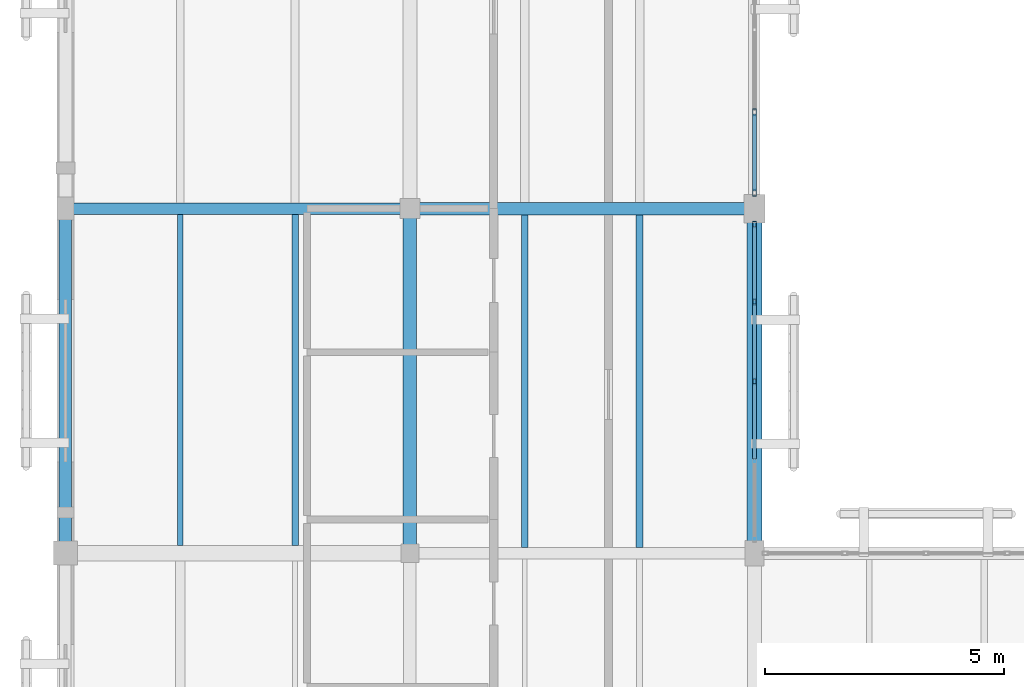
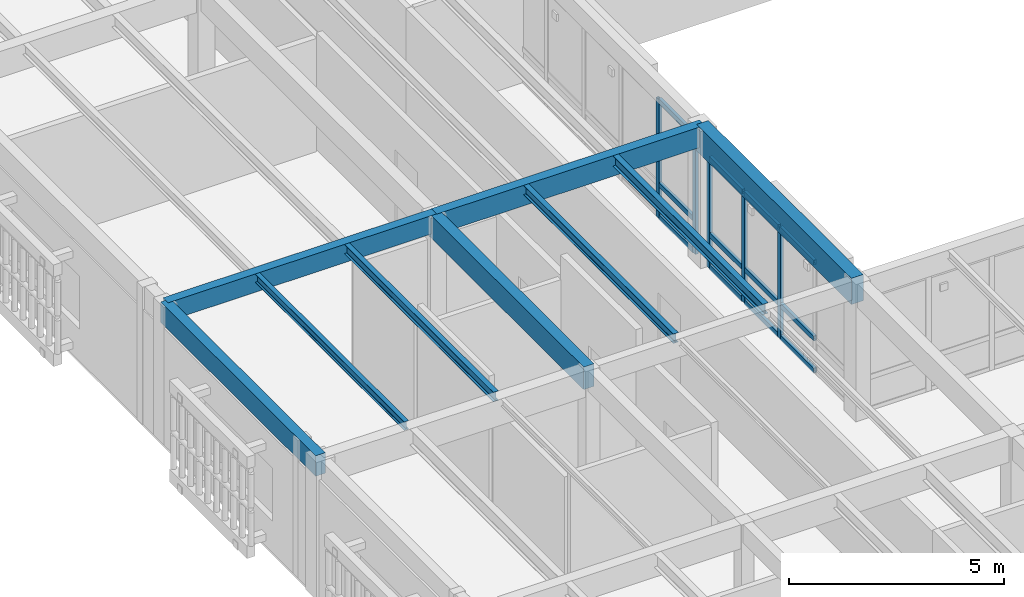
# One storey, part 25 of 217: 17 members, 9 beams, 2 elements without a shape of their own.
"""IFC4 building model written with IfcOpenShell, lengths in metres."""

from ifc_helpers import new_model, si_unit, direction, frame, origin, origin_2d, place, context, subcontext, project, spatial, rectangle, hollow_rectangle, i_section, extrude, material, layer, layer_set, material_profile, profile_set, type_object, element, aggregate, save


model = new_model("IFC4")

# Units and contexts
model_context = context("Model", 3, precision=1e-05, world=origin(), true_north=direction((0.0, 1.0)))
body_context = subcontext(model_context, "Body", "Model", "MODEL_VIEW")
ifc_project = project(units=[si_unit("LENGTHUNIT", "METRE"), si_unit("AREAUNIT", "SQUARE_METRE"), si_unit("VOLUMEUNIT", "CUBIC_METRE"), si_unit("PLANEANGLEUNIT", "RADIAN"), si_unit("MASSUNIT", "GRAM", prefix="KILO")], contexts=[model_context])

# Site, building, storey
site_placement = place(None, origin())
site = spatial("IfcSite", under=ifc_project, at=site_placement, CompositionType="ELEMENT")
building_placement = place(site_placement, origin())
building = spatial("IfcBuilding", under=site, at=building_placement, Name="Mazaris Harbour Polytechnic", CompositionType="ELEMENT")
storey_placement = place(building_placement, frame((0.0, 0.0, 9.60009765625)))
storey = spatial("IfcBuildingStorey", under=building, at=storey_placement, Name="L02", CompositionType="ELEMENT", Elevation=9.60009765625)

# Curtain wall, members
ifc_material_1 = material(Name="Anodised Bronze Aluminium and Low-E Glass", Category="aluminium")
ifc_layer = layer(ifc_material_1, 0.159912109375, Name="Anodised Bronze Aluminium and Low-E Glass")
ifc_layer_set = layer_set([ifc_layer], Name="Anodised Bronze Aluminium and Low-E Glass")
curtain_wall_type = type_object("IfcCurtainWallType", Name="Cloister Court Curtain Wall", PredefinedType="NOTDEFINED", material=ifc_layer_set)
curtain_wall_1_placement = place(storey_placement, origin())
curtain_wall_1 = element("IfcCurtainWall", 1, at=curtain_wall_1_placement, inside=storey, type_object=curtain_wall_type, Name="V4 L02 Curtain Wall 137", PredefinedType="NOTDEFINED")
ifc_material_2 = material(Name="Anodised Bronze Steel S355", Category="steel")
ifc_material_profile_1 = material_profile(ifc_material_2, hollow_rectangle(XDim=0.080078125, YDim=0.139892578125, WallThickness=0.00634765625, at=origin_2d()), Name="RHS 80x140x6.3")
ifc_profile_set_1 = profile_set([ifc_material_profile_1], Name="Anodised Bronze Steel S355")
member_type_1 = type_object("IfcMemberType", Name="Curtain Mullion RHS80x140", PredefinedType="MULLION", material=ifc_profile_set_1)
member_1_placement = place(storey_placement, frame((14.39990234375, 39.5849609375, 0.0), z_axis=(0.0, 0.0, 1.0), x_axis=(-1.0, 0.0, 0.0)))
member_1 = element("IfcMember", 2, at=member_1_placement, type_object=member_type_1, Name="CW-02 mullion 3", PredefinedType="MULLION", context=body_context, shape_type="SweptSolid", body=[
    extrude(hollow_rectangle(XDim=0.080078125, YDim=0.139892578125, WallThickness=0.00634765625, at=origin_2d()), origin(), (0.0, 0.0, 1.0), 3.139892578125),
])
member_2_placement = place(storey_placement, frame((14.39990234375, 41.24658203125, 0.0), z_axis=(0.0, 0.0, 1.0), x_axis=(-1.0, 0.0, 0.0)))
member_2 = element("IfcMember", 3, at=member_2_placement, type_object=member_type_1, Name="CW-02 mullion 4", PredefinedType="MULLION", context=body_context, shape_type="SweptSolid", body=[
    extrude(hollow_rectangle(XDim=0.080078125, YDim=0.139892578125, WallThickness=0.00634765625, at=origin_2d()), origin(), (0.0, 0.0, 1.0), 3.139892578125),
])
member_3_placement = place(storey_placement, frame((14.39990234375, 42.867919921875, 0.0), z_axis=(0.0, 0.0, 1.0), x_axis=(-1.0, 0.0, 0.0)))
member_3 = element("IfcMember", 4, at=member_3_placement, type_object=member_type_1, Name="CW-02 mullion 5", PredefinedType="MULLION", context=body_context, shape_type="SweptSolid", body=[
    extrude(hollow_rectangle(XDim=0.080078125, YDim=0.139892578125, WallThickness=0.00634765625, at=origin_2d()), origin(), (0.0, 0.0, 1.0), 3.139892578125),
])

curtain_wall_2_placement = place(storey_placement, origin())
curtain_wall_2 = element("IfcCurtainWall", 5, at=curtain_wall_2_placement, inside=storey, type_object=curtain_wall_type, Name="V4 L02 Curtain Wall 138", PredefinedType="NOTDEFINED")
member_4_placement = place(storey_placement, frame((14.39990234375, 43.531982421875, 0.0), z_axis=(0.0, 0.0, 1.0), x_axis=(-1.0, 0.0, 0.0)))
member_4 = element("IfcMember", 6, at=member_4_placement, type_object=member_type_1, Name="CW-02 mullion 1", PredefinedType="MULLION", context=body_context, shape_type="SweptSolid", body=[
    extrude(hollow_rectangle(XDim=0.080078125, YDim=0.139892578125, WallThickness=0.00634765625, at=origin_2d()), origin(), (0.0, 0.0, 1.0), 3.35986328125),
])
member_5_placement = place(storey_placement, frame((14.39990234375, 45.21630859375, 0.0), z_axis=(0.0, 0.0, 1.0), x_axis=(-1.0, 0.0, 0.0)))
member_5 = element("IfcMember", 7, at=member_5_placement, type_object=member_type_1, Name="CW-02 mullion 2", PredefinedType="MULLION", context=body_context, shape_type="SweptSolid", body=[
    extrude(hollow_rectangle(XDim=0.080078125, YDim=0.139892578125, WallThickness=0.00634765625, at=origin_2d()), origin(), (0.0, 0.0, 1.0), 3.35986328125),
])

# Member
ifc_material_3 = material(Name="Anodised Bronze Steel S355", Category="steel")
ifc_material_profile_2 = material_profile(ifc_material_3, hollow_rectangle(XDim=0.080078125, YDim=0.139892578125, WallThickness=0.00634765625, at=origin_2d()), Name="RHS 80x140x6.3")
ifc_profile_set_2 = profile_set([ifc_material_profile_2], Name="Anodised Bronze Steel S355")
member_type_2 = type_object("IfcMemberType", Name="Curtain Transom RHS80x140", PredefinedType="USERDEFINED", material=ifc_profile_set_2)
member_6_placement = place(storey_placement, frame((14.39990234375, 37.96337890625, 0.039794921875), z_axis=(0.0, 1.0, 0.0), x_axis=(-1.0, 0.0, 0.0)))
member_6 = element("IfcMember", 8, at=member_6_placement, type_object=member_type_2, Name="CW-02 transom 2.1", ObjectType="TRANSOM", PredefinedType="USERDEFINED", context=body_context, shape_type="SweptSolid", body=[
    extrude(hollow_rectangle(XDim=0.080078125, YDim=0.139892578125, WallThickness=0.00634765625, at=origin_2d()), origin(), (0.0, 0.0, 1.0), 1.58154296875),
])

member_7_placement = place(storey_placement, frame((14.39990234375, 37.96337890625, 0.949951171875), z_axis=(0.0, 1.0, 0.0), x_axis=(-1.0, 0.0, 0.0)))
member_7 = element("IfcMember", 9, at=member_7_placement, type_object=member_type_2, Name="CW-02 transom 2.2", ObjectType="TRANSOM", PredefinedType="USERDEFINED", context=body_context, shape_type="SweptSolid", body=[
    extrude(hollow_rectangle(XDim=0.080078125, YDim=0.139892578125, WallThickness=0.00634765625, at=origin_2d()), origin(), (0.0, 0.0, 1.0), 1.58154296875),
])

member_8_placement = place(storey_placement, frame((14.39990234375, 37.96337890625, 3.099853515625), z_axis=(0.0, 1.0, 0.0), x_axis=(-1.0, 0.0, 0.0)))
member_8 = element("IfcMember", 10, at=member_8_placement, type_object=member_type_2, Name="CW-02 transom 2.3", ObjectType="TRANSOM", PredefinedType="USERDEFINED", context=body_context, shape_type="SweptSolid", body=[
    extrude(hollow_rectangle(XDim=0.080078125, YDim=0.139892578125, WallThickness=0.00634765625, at=origin_2d()), origin(), (0.0, 0.0, 1.0), 1.58154296875),
])

member_9_placement = place(storey_placement, frame((14.39990234375, 39.625, 0.039794921875), z_axis=(0.0, 1.0, 0.0), x_axis=(-1.0, 0.0, 0.0)))
member_9 = element("IfcMember", 11, at=member_9_placement, type_object=member_type_2, Name="CW-02 transom 3.1", ObjectType="TRANSOM", PredefinedType="USERDEFINED", context=body_context, shape_type="SweptSolid", body=[
    extrude(hollow_rectangle(XDim=0.080078125, YDim=0.139892578125, WallThickness=0.00634765625, at=origin_2d()), origin(), (0.0, 0.0, 1.0), 1.58154296875),
])

member_10_placement = place(storey_placement, frame((14.39990234375, 39.625, 0.949951171875), z_axis=(0.0, 1.0, 0.0), x_axis=(-1.0, 0.0, 0.0)))
member_10 = element("IfcMember", 12, at=member_10_placement, type_object=member_type_2, Name="CW-02 transom 3.2", ObjectType="TRANSOM", PredefinedType="USERDEFINED", context=body_context, shape_type="SweptSolid", body=[
    extrude(hollow_rectangle(XDim=0.080078125, YDim=0.139892578125, WallThickness=0.00634765625, at=origin_2d()), origin(), (0.0, 0.0, 1.0), 1.58154296875),
])

member_11_placement = place(storey_placement, frame((14.39990234375, 39.625, 3.099853515625), z_axis=(0.0, 1.0, 0.0), x_axis=(-1.0, 0.0, 0.0)))
member_11 = element("IfcMember", 13, at=member_11_placement, type_object=member_type_2, Name="CW-02 transom 3.3", ObjectType="TRANSOM", PredefinedType="USERDEFINED", context=body_context, shape_type="SweptSolid", body=[
    extrude(hollow_rectangle(XDim=0.080078125, YDim=0.139892578125, WallThickness=0.00634765625, at=origin_2d()), origin(), (0.0, 0.0, 1.0), 1.58154296875),
])

member_12_placement = place(storey_placement, frame((14.39990234375, 41.28662109375, 0.039794921875), z_axis=(0.0, 1.0, 0.0), x_axis=(-1.0, 0.0, 0.0)))
member_12 = element("IfcMember", 14, at=member_12_placement, type_object=member_type_2, Name="CW-02 transom 4.1", ObjectType="TRANSOM", PredefinedType="USERDEFINED", context=body_context, shape_type="SweptSolid", body=[
    extrude(hollow_rectangle(XDim=0.080078125, YDim=0.139892578125, WallThickness=0.00634765625, at=origin_2d()), origin(), (0.0, 0.0, 1.0), 1.541259765625),
])

member_13_placement = place(storey_placement, frame((14.39990234375, 41.28662109375, 0.949951171875), z_axis=(0.0, 1.0, 0.0), x_axis=(-1.0, 0.0, 0.0)))
member_13 = element("IfcMember", 15, at=member_13_placement, type_object=member_type_2, Name="CW-02 transom 4.2", ObjectType="TRANSOM", PredefinedType="USERDEFINED", context=body_context, shape_type="SweptSolid", body=[
    extrude(hollow_rectangle(XDim=0.080078125, YDim=0.139892578125, WallThickness=0.00634765625, at=origin_2d()), origin(), (0.0, 0.0, 1.0), 1.541259765625),
])

member_14_placement = place(storey_placement, frame((14.39990234375, 41.28662109375, 3.099853515625), z_axis=(0.0, 1.0, 0.0), x_axis=(-1.0, 0.0, 0.0)))
member_14 = element("IfcMember", 16, at=member_14_placement, type_object=member_type_2, Name="CW-02 transom 4.3", ObjectType="TRANSOM", PredefinedType="USERDEFINED", context=body_context, shape_type="SweptSolid", body=[
    extrude(hollow_rectangle(XDim=0.080078125, YDim=0.139892578125, WallThickness=0.00634765625, at=origin_2d()), origin(), (0.0, 0.0, 1.0), 1.541259765625),
])

aggregate(curtain_wall_1, [member_1, member_2, member_3, member_6, member_7, member_8, member_9, member_10, member_11, member_12, member_13, member_14])

member_15_placement = place(storey_placement, frame((14.39990234375, 43.572021484375, 0.039794921875), z_axis=(0.0, 1.0, 0.0), x_axis=(-1.0, 0.0, 0.0)))
member_15 = element("IfcMember", 17, at=member_15_placement, type_object=member_type_2, Name="CW-02 transom 1.1", ObjectType="TRANSOM", PredefinedType="USERDEFINED", context=body_context, shape_type="SweptSolid", body=[
    extrude(hollow_rectangle(XDim=0.080078125, YDim=0.139892578125, WallThickness=0.00634765625, at=origin_2d()), origin(), (0.0, 0.0, 1.0), 1.604248046875),
])

member_16_placement = place(storey_placement, frame((14.39990234375, 43.572021484375, 0.949951171875), z_axis=(0.0, 1.0, 0.0), x_axis=(-1.0, 0.0, 0.0)))
member_16 = element("IfcMember", 18, at=member_16_placement, type_object=member_type_2, Name="CW-02 transom 1.2", ObjectType="TRANSOM", PredefinedType="USERDEFINED", context=body_context, shape_type="SweptSolid", body=[
    extrude(hollow_rectangle(XDim=0.080078125, YDim=0.139892578125, WallThickness=0.00634765625, at=origin_2d()), origin(), (0.0, 0.0, 1.0), 1.604248046875),
])

member_17_placement = place(storey_placement, frame((14.39990234375, 43.572021484375, 3.31982421875), z_axis=(0.0, 1.0, 0.0), x_axis=(-1.0, 0.0, 0.0)))
member_17 = element("IfcMember", 19, at=member_17_placement, type_object=member_type_2, Name="CW-02 transom 1.3", ObjectType="TRANSOM", PredefinedType="USERDEFINED", context=body_context, shape_type="SweptSolid", body=[
    extrude(hollow_rectangle(XDim=0.080078125, YDim=0.139892578125, WallThickness=0.00634765625, at=origin_2d()), origin(), (0.0, 0.0, 1.0), 1.604248046875),
])

aggregate(curtain_wall_2, [member_4, member_5, member_15, member_16, member_17])

# Beams
ifc_material_4 = material(Name="Glulam GL32h", Category="wood")
ifc_material_profile_3 = material_profile(ifc_material_4, rectangle(XDim=0.239990234375, YDim=0.52001953125, at=origin_2d()), Name="RECT240x520")
ifc_profile_set_3 = profile_set([ifc_material_profile_3], Name="Glulam GL32h")
beam_type_1 = type_object("IfcBeamType", Name="Glulam Girder 240x520", PredefinedType="BEAM", material=ifc_profile_set_3)
beam_1_placement = place(storey_placement, frame((0.0, 43.199951171875, 3.6298828125), z_axis=(1.0, 0.0, 0.0), x_axis=(0.0, 1.0, 0.0)))
element("IfcBeam", 20, at=beam_1_placement, inside=storey, type_object=beam_type_1, Name="V4 L02 Girder 1925", PredefinedType="BEAM", context=body_context, shape_type="SweptSolid", body=[
    extrude(rectangle(XDim=0.239990234375, YDim=0.52001953125, at=origin_2d()), origin(), (0.0, 0.0, 1.0), 7.199951171875),
])
ifc_material_5 = material(Name="Glulam GL32h", Category="wood")
ifc_material_profile_4 = material_profile(ifc_material_5, rectangle(XDim=0.260009765625, YDim=0.580078125, at=origin_2d()), Name="RECT260x580")
ifc_profile_set_4 = profile_set([ifc_material_profile_4], Name="Glulam GL32h")
beam_type_2 = type_object("IfcBeamType", Name="Glulam Girder 260x580", PredefinedType="BEAM", material=ifc_profile_set_4)
beam_2_placement = place(storey_placement, frame((7.199951171875, 43.199951171875, 3.599853515625), z_axis=(1.0, 0.0, 0.0), x_axis=(0.0, 1.0, 0.0)))
element("IfcBeam", 21, at=beam_2_placement, inside=storey, type_object=beam_type_2, Name="V4 L02 Girder 1926", PredefinedType="BEAM", context=body_context, shape_type="SweptSolid", body=[
    extrude(rectangle(XDim=0.260009765625, YDim=0.580078125, at=origin_2d()), origin(), (0.0, 0.0, 1.0), 7.199951171875),
])
ifc_material_6 = material(Name="Glulam GL32h", Category="wood")
ifc_material_profile_5 = material_profile(ifc_material_6, rectangle(XDim=0.260009765625, YDim=0.580078125, at=origin_2d()), Name="RECT260x580")
ifc_profile_set_5 = profile_set([ifc_material_profile_5], Name="Glulam GL32h")
beam_type_3 = type_object("IfcBeamType", Name="Glulam Girder 260x580 Exterior", PredefinedType="BEAM", material=ifc_profile_set_5)
beam_3_placement = place(storey_placement, frame((0.0, 36.0, 3.599853515625), z_axis=(0.0, 1.0, 0.0), x_axis=(-1.0, 0.0, 0.0)))
element("IfcBeam", 22, at=beam_3_placement, inside=storey, type_object=beam_type_3, Name="V4 L02 Tie Girder 1971", PredefinedType="BEAM", context=body_context, shape_type="SweptSolid", body=[
    extrude(rectangle(XDim=0.260009765625, YDim=0.580078125, at=origin_2d()), origin(), (0.0, 0.0, 1.0), 7.199951171875),
])
ifc_material_7 = material(Name="Glulam GL32h", Category="wood")
ifc_material_profile_6 = material_profile(ifc_material_7, rectangle(XDim=0.280029296875, YDim=0.639892578125, at=origin_2d()), Name="RECT280x640")
ifc_profile_set_6 = profile_set([ifc_material_profile_6], Name="Glulam GL32h")
beam_type_4 = type_object("IfcBeamType", Name="Glulam Girder 280x640", PredefinedType="BEAM", material=ifc_profile_set_6)
beam_4_placement = place(storey_placement, frame((7.199951171875, 36.0, 3.56982421875), z_axis=(0.0, 1.0, 0.0), x_axis=(-1.0, 0.0, 0.0)))
element("IfcBeam", 23, at=beam_4_placement, inside=storey, type_object=beam_type_4, Name="V4 L02 Tie Girder 1982", PredefinedType="BEAM", context=body_context, shape_type="SweptSolid", body=[
    extrude(rectangle(XDim=0.280029296875, YDim=0.639892578125, at=origin_2d()), origin(), (0.0, 0.0, 1.0), 7.199951171875),
])
ifc_material_8 = material(Name="Glulam GL32h", Category="wood")
ifc_material_profile_7 = material_profile(ifc_material_8, rectangle(XDim=0.320068359375, YDim=0.739990234375, at=origin_2d()), Name="RECT320x740")
ifc_profile_set_7 = profile_set([ifc_material_profile_7], Name="Glulam GL32h")
beam_type_5 = type_object("IfcBeamType", Name="Glulam Girder 320x740", PredefinedType="BEAM", material=ifc_profile_set_7)
beam_5_placement = place(storey_placement, frame((14.39990234375, 36.0, 3.52001953125), z_axis=(0.0, 1.0, 0.0), x_axis=(-1.0, 0.0, 0.0)))
element("IfcBeam", 24, at=beam_5_placement, inside=storey, type_object=beam_type_5, Name="V4 L02 Tie Girder 1994", PredefinedType="BEAM", context=body_context, shape_type="SweptSolid", body=[
    extrude(rectangle(XDim=0.320068359375, YDim=0.739990234375, at=origin_2d()), origin(), (0.0, 0.0, 1.0), 7.199951171875),
])
ifc_material_9 = material(Name="Steel S355", Category="steel")
ifc_material_profile_8 = material_profile(ifc_material_9, i_section(OverallWidth=0.1201171875, OverallDepth=0.239990234375, WebThickness=0.006103515625, FlangeThickness=0.009765625, FilletRadius=0.014892578125, at=origin_2d()), Name="IPE 240")
ifc_profile_set_8 = profile_set([ifc_material_profile_8], Name="Steel S355")
beam_type_6 = type_object("IfcBeamType", Name="Steel Joist IPE240", PredefinedType="JOIST", material=ifc_profile_set_8)
beam_6_placement = place(storey_placement, frame((2.39990234375, 36.159912109375, 3.77001953125), z_axis=(0.0, 1.0, 0.0), x_axis=(-1.0, 0.0, 0.0)))
element("IfcBeam", 25, at=beam_6_placement, inside=storey, type_object=beam_type_6, Name="V4 L02 Floor Joist 2052", PredefinedType="JOIST", context=body_context, shape_type="SweptSolid", body=[
    extrude(i_section(OverallWidth=0.1201171875, OverallDepth=0.239990234375, WebThickness=0.006103515625, FlangeThickness=0.009765625, FilletRadius=0.014892578125, at=origin_2d()), origin(), (0.0, 0.0, 1.0), 6.920166015625),
])
ifc_material_10 = material(Name="Steel S355", Category="steel")
ifc_material_profile_9 = material_profile(ifc_material_10, i_section(OverallWidth=0.135009765625, OverallDepth=0.27001953125, WebThickness=0.006591796875, FlangeThickness=0.01025390625, FilletRadius=0.014892578125, at=origin_2d()), Name="IPE 270")
ifc_profile_set_9 = profile_set([ifc_material_profile_9], Name="Steel S355")
beam_type_7 = type_object("IfcBeamType", Name="Steel Joist IPE270", PredefinedType="JOIST", material=ifc_profile_set_9)
beam_7_placement = place(storey_placement, frame((4.800048828125, 36.159912109375, 3.7548828125), z_axis=(0.0, 1.0, 0.0), x_axis=(-1.0, 0.0, 0.0)))
element("IfcBeam", 26, at=beam_7_placement, inside=storey, type_object=beam_type_7, Name="V4 L02 Floor Joist 2053", PredefinedType="JOIST", context=body_context, shape_type="SweptSolid", body=[
    extrude(i_section(OverallWidth=0.135009765625, OverallDepth=0.27001953125, WebThickness=0.006591796875, FlangeThickness=0.01025390625, FilletRadius=0.014892578125, at=origin_2d()), origin(), (0.0, 0.0, 1.0), 6.920166015625),
])
beam_8_placement = place(storey_placement, frame((9.60009765625, 36.1201171875, 3.7548828125), z_axis=(0.0, 1.0, 0.0), x_axis=(-1.0, 0.0, 0.0)))
element("IfcBeam", 27, at=beam_8_placement, inside=storey, type_object=beam_type_7, Name="V4 L02 Floor Joist 2074", PredefinedType="JOIST", context=body_context, shape_type="SweptSolid", body=[
    extrude(i_section(OverallWidth=0.135009765625, OverallDepth=0.27001953125, WebThickness=0.006591796875, FlangeThickness=0.01025390625, FilletRadius=0.014892578125, at=origin_2d()), origin(), (0.0, 0.0, 1.0), 6.949951171875),
])
ifc_material_11 = material(Name="Steel S355", Category="steel")
ifc_material_profile_10 = material_profile(ifc_material_11, i_section(OverallWidth=0.14990234375, OverallDepth=0.300048828125, WebThickness=0.007080078125, FlangeThickness=0.0107421875, FilletRadius=0.014892578125, at=origin_2d()), Name="IPE 300")
ifc_profile_set_10 = profile_set([ifc_material_profile_10], Name="Steel S355")
beam_type_8 = type_object("IfcBeamType", Name="Steel Joist IPE300", PredefinedType="JOIST", material=ifc_profile_set_10)
beam_9_placement = place(storey_placement, frame((12.0, 36.1201171875, 3.739990234375), z_axis=(0.0, 1.0, 0.0), x_axis=(-1.0, 0.0, 0.0)))
element("IfcBeam", 28, at=beam_9_placement, inside=storey, type_object=beam_type_8, Name="V4 L02 Floor Joist 2075", PredefinedType="JOIST", context=body_context, shape_type="SweptSolid", body=[
    extrude(i_section(OverallWidth=0.14990234375, OverallDepth=0.300048828125, WebThickness=0.007080078125, FlangeThickness=0.0107421875, FilletRadius=0.014892578125, at=origin_2d()), origin(), (0.0, 0.0, 1.0), 6.949951171875),
])

save(model, "model.ifc")
